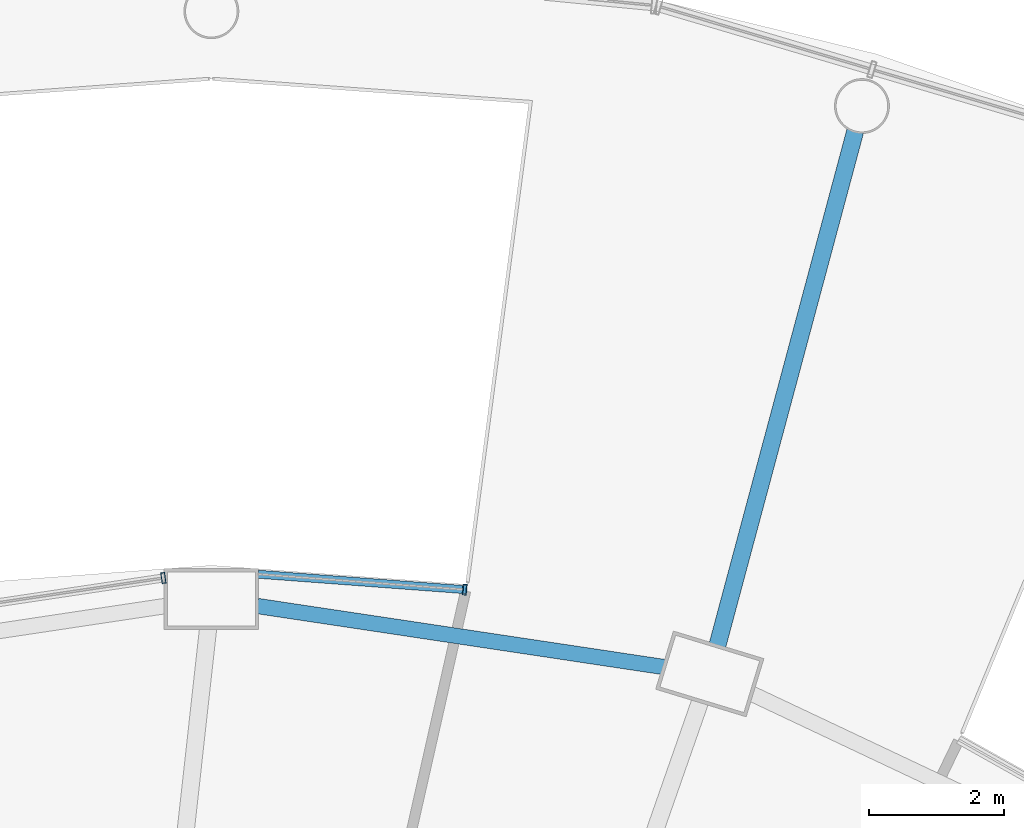
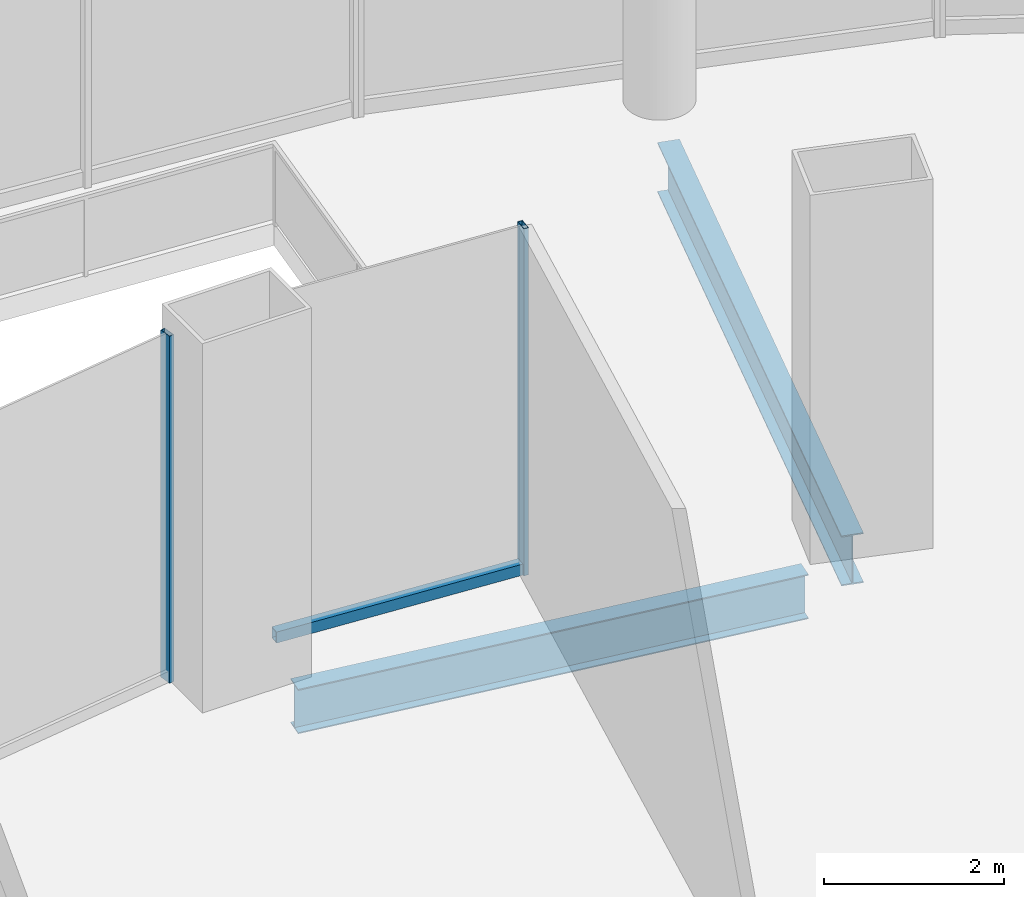
# One storey, part 34 of 47: 3 members, 2 beams, 2 elements without a shape of their own.
"""IFC4 building model written with IfcOpenShell, lengths in metres."""

from ifc_helpers import new_model, si_unit, direction, frame, origin, origin_2d, place, context, subcontext, project, spatial, hollow_rectangle, i_section, extrude, material, layer, layer_set, material_profile, profile_set, type_object, element, aggregate, save


model = new_model("IFC4")

# Units and contexts
model_context = context("Model", 3, precision=1e-05, world=origin(), true_north=direction((0.0, 1.0)))
body_context = subcontext(model_context, "Body", "Model", "MODEL_VIEW")
ifc_project = project(units=[si_unit("LENGTHUNIT", "METRE"), si_unit("AREAUNIT", "SQUARE_METRE"), si_unit("VOLUMEUNIT", "CUBIC_METRE"), si_unit("PLANEANGLEUNIT", "RADIAN"), si_unit("MASSUNIT", "GRAM", prefix="KILO")], contexts=[model_context])

# Site, building, storey
site_placement = place(None, origin())
site = spatial("IfcSite", under=ifc_project, at=site_placement, CompositionType="ELEMENT")
building_placement = place(site_placement, origin())
building = spatial("IfcBuilding", under=site, at=building_placement, Name="Nagisa Residences", CompositionType="ELEMENT")
storey_placement = place(building_placement, frame((0.0, 0.0, 17.0)))
storey = spatial("IfcBuildingStorey", under=building, at=storey_placement, Name="L03", CompositionType="ELEMENT", Elevation=17.0)

# Beam
ifc_material_1 = material(Name="Steel ASTM A572 Gr 50", Category="steel")
ifc_material_profile_1 = material_profile(ifc_material_1, i_section(OverallWidth=0.2529296875, OverallDepth=0.677978515625, WebThickness=0.01171875, FlangeThickness=0.016357421875, at=origin_2d()), Name="W690x125")
ifc_profile_set_1 = profile_set([ifc_material_profile_1], Name="Steel ASTM A572 Gr 50")
beam_type_1 = type_object("IfcBeamType", Name="Atrium bridge beam W690x125", PredefinedType="BEAM", material=ifc_profile_set_1)
beam_1_placement = place(storey_placement, frame((11.087646484375, 31.80810546875, -0.638916015625), z_axis=(0.258809356376, 0.965928422324, 0.0), x_axis=(-0.965928422324, 0.258809356376, 0.0)))
element("IfcBeam", 1, at=beam_1_placement, inside=storey, type_object=beam_type_1, Name="beam:L03:br06", PredefinedType="BEAM", context=body_context, shape_type="SweptSolid", body=[
    extrude(i_section(OverallWidth=0.2529296875, OverallDepth=0.677978515625, WebThickness=0.01171875, FlangeThickness=0.016357421875, at=origin_2d()), origin(), (0.0, 0.0, 1.0), 7.88330078125),
])

# Curtain wall, member
ifc_material_2 = material(Name="Stainless steel curtain wall system", Category="steel")
ifc_layer = layer(ifc_material_2, 0.159912109375)
ifc_layer_set = layer_set([ifc_layer], Name="CW6 CURTAIN WALL")
curtain_wall_type = type_object("IfcCurtainWallType", Name="CW6 CURTAIN WALL", PredefinedType="NOTDEFINED", material=ifc_layer_set)
curtain_wall_1_placement = place(storey_placement, origin())
curtain_wall_1 = element("IfcCurtainWall", 2, at=curtain_wall_1_placement, inside=storey, type_object=curtain_wall_type, Name="cw:CW6:L03:11", PredefinedType="NOTDEFINED")
ifc_material_3 = material(Name="Stainless steel", Category="steel")
ifc_material_profile_2 = material_profile(ifc_material_3, hollow_rectangle(XDim=0.159912109375, YDim=0.06005859375, WallThickness=0.006103515625, at=origin_2d()), Name="CW6 MULLION 160x60")
ifc_profile_set_2 = profile_set([ifc_material_profile_2], Name="Stainless steel")
member_type_1 = type_object("IfcMemberType", Name="CW6 MULLION 160x60", PredefinedType="MULLION", material=ifc_profile_set_2)
member_1_placement = place(storey_placement, frame((7.349365234375, 32.64013671875, 0.0), z_axis=(0.0, 0.0, 1.0), x_axis=(-0.074377355493, -0.997230168512, 0.0)))
member_1 = element("IfcMember", 3, at=member_1_placement, type_object=member_type_1, Name="CW6 mullion", PredefinedType="MULLION", context=body_context, shape_type="SweptSolid", body=[
    extrude(hollow_rectangle(XDim=0.159912109375, YDim=0.06005859375, WallThickness=0.006103515625, at=origin_2d()), origin(), (0.0, 0.0, 1.0), 4.699951171875),
])

curtain_wall_2_placement = place(storey_placement, origin())
curtain_wall_2 = element("IfcCurtainWall", 4, at=curtain_wall_2_placement, inside=storey, type_object=curtain_wall_type, Name="cw:CW6:L03:12", PredefinedType="NOTDEFINED")
member_2_placement = place(storey_placement, frame((2.889892578125, 32.812744140625, 0.0), z_axis=(0.0, 0.0, 1.0), x_axis=(0.148158096894, -0.988963689083, 0.0)))
member_2 = element("IfcMember", 5, at=member_2_placement, type_object=member_type_1, Name="CW6 mullion", PredefinedType="MULLION", context=body_context, shape_type="SweptSolid", body=[
    extrude(hollow_rectangle(XDim=0.159912109375, YDim=0.06005859375, WallThickness=0.006103515625, at=origin_2d()), origin(), (0.0, 0.0, 1.0), 4.699951171875),
])
aggregate(curtain_wall_2, [member_2])

# Member
ifc_material_4 = material(Name="Stainless steel", Category="steel")
ifc_material_profile_3 = material_profile(ifc_material_4, hollow_rectangle(XDim=0.1201171875, YDim=0.14990234375, WallThickness=0.008056640625, at=origin_2d()), Name="CW6 TRANSOM 120x150")
ifc_profile_set_3 = profile_set([ifc_material_profile_3], Name="Stainless steel")
member_type_2 = type_object("IfcMemberType", Name="CW6 TRANSOM 120x150", PredefinedType="USERDEFINED", material=ifc_profile_set_3)
member_3_placement = place(storey_placement, frame((7.37939453125, 32.637939453125, 0.074951171875), z_axis=(-0.997231270995, 0.07436257224, 0.0), x_axis=(-0.07436257224, -0.997231270995, 0.0)))
member_3 = element("IfcMember", 6, at=member_3_placement, type_object=member_type_2, Name="CW6 transom", ObjectType="TRANSOM", PredefinedType="USERDEFINED", context=body_context, shape_type="SweptSolid", body=[
    extrude(hollow_rectangle(XDim=0.1201171875, YDim=0.14990234375, WallThickness=0.008056640625, at=origin_2d()), origin(), (0.0, 0.0, 1.0), 3.095947265625),
])

aggregate(curtain_wall_1, [member_1, member_3])

# Beam
ifc_material_5 = material(Name="Steel ASTM A572 Gr 50", Category="steel")
ifc_material_profile_4 = material_profile(ifc_material_5, i_section(OverallWidth=0.22802734375, OverallDepth=0.60302734375, WebThickness=0.010498046875, FlangeThickness=0.014892578125, at=origin_2d()), Name="W610x101")
ifc_profile_set_4 = profile_set([ifc_material_profile_4], Name="Steel ASTM A572 Gr 50")
beam_type_2 = type_object("IfcBeamType", Name="Perimeter ring beam W610x101", PredefinedType="BEAM", material=ifc_profile_set_4)
beam_2_placement = place(storey_placement, frame((10.29638671875, 31.49462890625, -0.6015625), z_axis=(-0.988914559467, 0.14848566959, 0.0), x_axis=(-0.14848566959, -0.988914559467, 0.0)))
element("IfcBeam", 7, at=beam_2_placement, inside=storey, type_object=beam_type_2, Name="beam:L03:pb06", PredefinedType="BEAM", context=body_context, shape_type="SweptSolid", body=[
    extrude(i_section(OverallWidth=0.22802734375, OverallDepth=0.60302734375, WebThickness=0.010498046875, FlangeThickness=0.014892578125, at=origin_2d()), origin(), (0.0, 0.0, 1.0), 6.08349609375),
])

save(model, "model.ifc")
